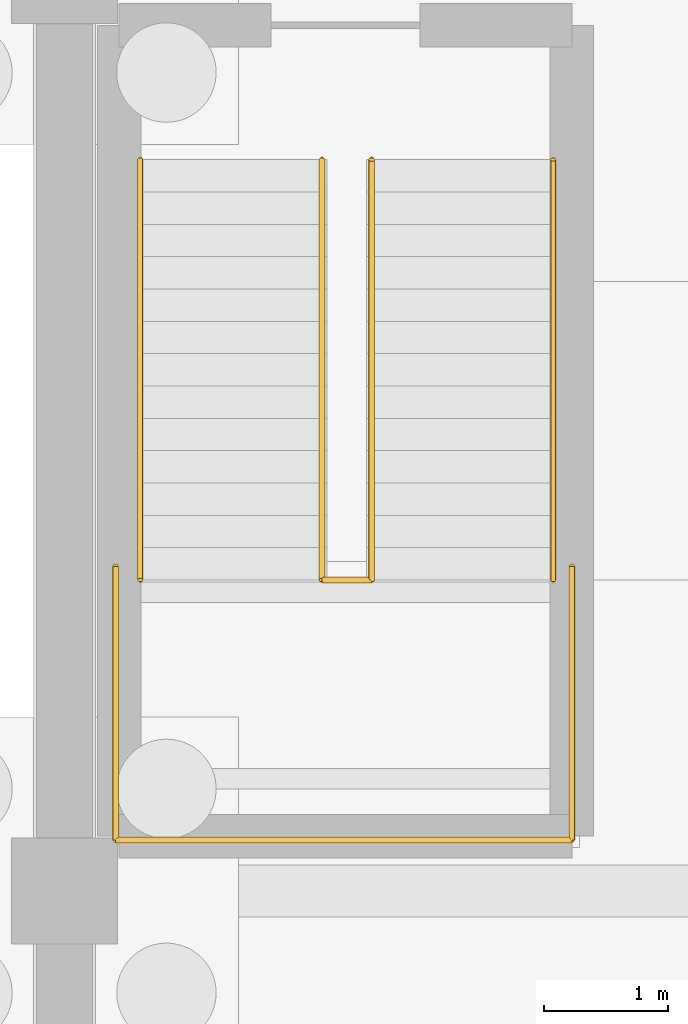
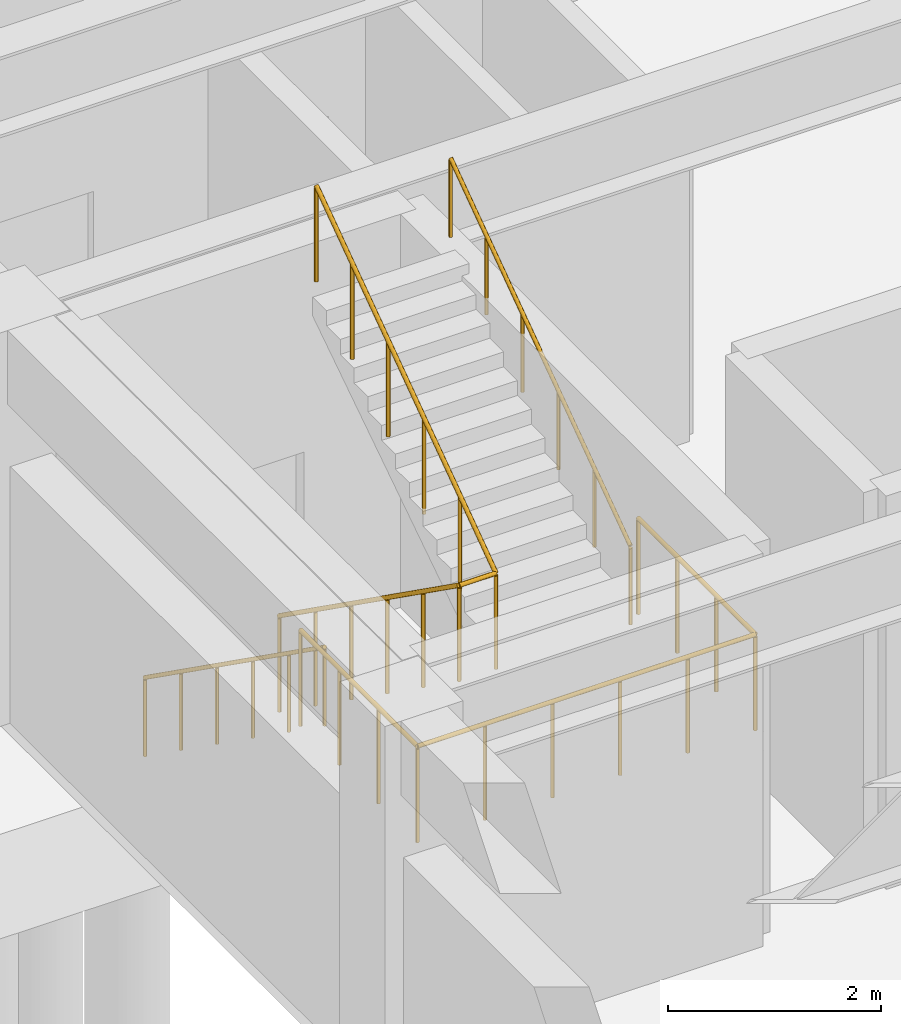
# One storey, part 13 of 14: 4 railings.
"""IFC4 building model written with IfcOpenShell, lengths in metres."""

from ifc_helpers import new_model, si_unit, direction, frame, origin, origin_2d, place, context, subcontext, project, spatial, circle, extrude, material, type_object, element, save


model = new_model("IFC4")

# Units and contexts
model_context = context("Model", 3, precision=1e-05, world=origin(), true_north=direction((0.0, 1.0)))
body_context = subcontext(model_context, "Body", "Model", "MODEL_VIEW")
ifc_project = project(units=[si_unit("LENGTHUNIT", "METRE"), si_unit("AREAUNIT", "SQUARE_METRE"), si_unit("VOLUMEUNIT", "CUBIC_METRE"), si_unit("PLANEANGLEUNIT", "RADIAN"), si_unit("MASSUNIT", "GRAM", prefix="KILO")], contexts=[model_context])

# Site, building, storey
site_placement = place(None, origin())
site = spatial("IfcSite", under=ifc_project, at=site_placement, CompositionType="ELEMENT")
building_placement = place(site_placement, origin())
building = spatial("IfcBuilding", under=site, at=building_placement, Name="Cimatlan Art Gallery", CompositionType="ELEMENT")
storey_placement = place(building_placement, frame((0.0, 0.0, -4.800048828125)))
storey = spatial("IfcBuildingStorey", under=building, at=storey_placement, Name="B1", CompositionType="ELEMENT", Elevation=-4.800048828125)

# Railings
ifc_material_1 = material(Name="Painted steel and bronze interior balustrade", Category="steel")
railing_type_1 = type_object("IfcRailingType", Name="RL-BAL-INT-1120", PredefinedType="BALUSTRADE", material=ifc_material_1)
railing_1_placement = place(storey_placement, frame((75.31005859375, 63.510009765625, 2.400146484375)))
element("IfcRailing", 1, at=railing_1_placement, inside=storey, type_object=railing_type_1, Name="STR-C6-B1-LGRD", PredefinedType="BALUSTRADE", context=body_context, shape_type="SweptSolid", body=[
    extrude(circle(Radius=0.02392578125, at=origin_2d()), frame((0.0, 0.0, 1.09619140625), z_axis=(0.0, -1.0, 0.0), x_axis=(1.0, 0.0, 0.0)), (0.0, 0.0, 1.0), 2.199951171875),
    extrude(circle(Radius=0.02392578125, at=origin_2d()), frame((0.0, -2.199951171875, 1.09619140625), z_axis=(1.0, 0.0, 0.0), x_axis=(0.0, 1.0, 0.0)), (0.0, 0.0, 1.0), 3.669921875),
    extrude(circle(Radius=0.02392578125, at=origin_2d()), frame((3.669921875, -2.199951171875, 1.09619140625), z_axis=(0.0, 1.0, 0.0), x_axis=(-1.0, 0.0, 0.0)), (0.0, 0.0, 1.0), 2.199951171875),
    extrude(circle(Radius=0.02001953125, at=origin_2d()), origin(), (0.0, 0.0, 1.0), 1.072021484375),
    extrude(circle(Radius=0.02001953125, at=origin_2d()), frame((0.0, -0.7333984375, 0.0)), (0.0, 0.0, 1.0), 1.072021484375),
    extrude(circle(Radius=0.02001953125, at=origin_2d()), frame((0.0, -1.466552734375, 0.0)), (0.0, 0.0, 1.0), 1.072021484375),
    extrude(circle(Radius=0.02001953125, at=origin_2d()), frame((0.0, -2.199951171875, 0.0)), (0.0, 0.0, 1.0), 1.072021484375),
    extrude(circle(Radius=0.02001953125, at=origin_2d()), frame((0.73388671875, -2.199951171875, 0.0)), (0.0, 0.0, 1.0), 1.072021484375),
    extrude(circle(Radius=0.02001953125, at=origin_2d()), frame((1.468017578125, -2.199951171875, 0.0)), (0.0, 0.0, 1.0), 1.072021484375),
    extrude(circle(Radius=0.02001953125, at=origin_2d()), frame((2.201904296875, -2.199951171875, 0.0)), (0.0, 0.0, 1.0), 1.072021484375),
    extrude(circle(Radius=0.02001953125, at=origin_2d()), frame((2.93603515625, -2.199951171875, 0.0)), (0.0, 0.0, 1.0), 1.072021484375),
    extrude(circle(Radius=0.02001953125, at=origin_2d()), frame((3.669921875, -2.199951171875, 0.0)), (0.0, 0.0, 1.0), 1.072021484375),
    extrude(circle(Radius=0.02001953125, at=origin_2d()), frame((3.669921875, -1.466552734375, 0.0)), (0.0, 0.0, 1.0), 1.072021484375),
    extrude(circle(Radius=0.02001953125, at=origin_2d()), frame((3.669921875, -0.7333984375, 0.0)), (0.0, 0.0, 1.0), 1.072021484375),
    extrude(circle(Radius=0.02001953125, at=origin_2d()), frame((3.669921875, 0.0, 0.0)), (0.0, 0.0, 1.0), 1.072021484375),
])
railing_2_placement = place(storey_placement, frame((76.969970703125, 66.780029296875, 0.0)))
element("IfcRailing", 2, at=railing_2_placement, inside=storey, type_object=railing_type_1, Name="STR-C6-B1-GRD", PredefinedType="BALUSTRADE", context=body_context, shape_type="SweptSolid", body=[
    extrude(circle(Radius=0.02392578125, at=origin_2d()), frame((0.0, 0.0, 1.09619140625), z_axis=(0.0, -0.815353794257, 0.578963030072), x_axis=(1.0, 0.0, 0.0)), (0.0, 0.0, 1.0), 4.1455078125),
    extrude(circle(Radius=0.02392578125, at=origin_2d()), frame((0.0, -3.380126953125, 3.49609375), z_axis=(1.0, 0.0, 0.0), x_axis=(0.0, 1.0, 0.0)), (0.0, 0.0, 1.0), 0.400146484375),
    extrude(circle(Radius=0.02392578125, at=origin_2d()), frame((0.400146484375, -3.380126953125, 3.49609375), z_axis=(0.0, 0.815381594603, 0.578923876847), x_axis=(-1.0, 0.0, 0.0)), (0.0, 0.0, 1.0), 4.1455078125),
    extrude(circle(Radius=0.02001953125, at=origin_2d()), origin(), (0.0, 0.0, 1.0), 1.072021484375),
    extrude(circle(Radius=0.02001953125, at=origin_2d()), frame((0.0, -0.676025390625, 0.47998046875)), (0.0, 0.0, 1.0), 1.072021484375),
    extrude(circle(Radius=0.02001953125, at=origin_2d()), frame((0.0, -1.35205078125, 0.9599609375)), (0.0, 0.0, 1.0), 1.072021484375),
    extrude(circle(Radius=0.02001953125, at=origin_2d()), frame((0.0, -2.028076171875, 1.440185546875)), (0.0, 0.0, 1.0), 1.072021484375),
    extrude(circle(Radius=0.02001953125, at=origin_2d()), frame((0.0, -2.7041015625, 1.920166015625)), (0.0, 0.0, 1.0), 1.072021484375),
    extrude(circle(Radius=0.02001953125, at=origin_2d()), frame((0.0, -3.380126953125, 2.400146484375)), (0.0, 0.0, 1.0), 1.072021484375),
    extrude(circle(Radius=0.02001953125, at=origin_2d()), frame((0.400146484375, -3.380126953125, 2.400146484375)), (0.0, 0.0, 1.0), 1.072021484375),
    extrude(circle(Radius=0.02001953125, at=origin_2d()), frame((0.400146484375, -2.7041015625, 2.880126953125)), (0.0, 0.0, 1.0), 1.072021484375),
    extrude(circle(Radius=0.02001953125, at=origin_2d()), frame((0.400146484375, -2.028076171875, 3.360107421875)), (0.0, 0.0, 1.0), 1.072021484375),
    extrude(circle(Radius=0.02001953125, at=origin_2d()), frame((0.400146484375, -1.35205078125, 3.840087890625)), (0.0, 0.0, 1.0), 1.072021484375),
    extrude(circle(Radius=0.02001953125, at=origin_2d()), frame((0.400146484375, -0.676025390625, 4.320068359375)), (0.0, 0.0, 1.0), 1.072021484375),
    extrude(circle(Radius=0.02001953125, at=origin_2d()), frame((0.400146484375, 0.0, 4.800048828125)), (0.0, 0.0, 1.0), 1.072021484375),
])
ifc_material_2 = material(Name="Brushed bronze stair handrail")
railing_type_2 = type_object("IfcRailingType", Name="RL-HND-INT-920", PredefinedType="HANDRAIL", material=ifc_material_2)
railing_3_placement = place(storey_placement, frame((75.510009765625, 66.780029296875, 0.0)))
element("IfcRailing", 3, at=railing_3_placement, inside=storey, type_object=railing_type_2, Name="STR-C6-B1-HR1", PredefinedType="HANDRAIL", context=body_context, shape_type="SweptSolid", body=[
    extrude(circle(Radius=0.02197265625, at=origin_2d()), frame((0.0, 0.0, 0.89794921875), z_axis=(0.0, -0.815353794257, 0.578963030072), x_axis=(1.0, 0.0, 0.0)), (0.0, 0.0, 1.0), 4.1455078125),
    extrude(circle(Radius=0.01904296875, at=origin_2d()), origin(), (0.0, 0.0, 1.0), 0.8759765625),
    extrude(circle(Radius=0.01904296875, at=origin_2d()), frame((0.0, -0.676025390625, 0.47998046875)), (0.0, 0.0, 1.0), 0.8759765625),
    extrude(circle(Radius=0.01904296875, at=origin_2d()), frame((0.0, -1.35205078125, 0.9599609375)), (0.0, 0.0, 1.0), 0.8759765625),
    extrude(circle(Radius=0.01904296875, at=origin_2d()), frame((0.0, -2.028076171875, 1.440185546875)), (0.0, 0.0, 1.0), 0.8759765625),
    extrude(circle(Radius=0.01904296875, at=origin_2d()), frame((0.0, -2.7041015625, 1.920166015625)), (0.0, 0.0, 1.0), 0.8759765625),
    extrude(circle(Radius=0.01904296875, at=origin_2d()), frame((0.0, -3.380126953125, 2.400146484375)), (0.0, 0.0, 1.0), 0.8759765625),
])
railing_4_placement = place(storey_placement, frame((78.830078125, 63.39990234375, 2.400146484375)))
element("IfcRailing", 4, at=railing_4_placement, inside=storey, type_object=railing_type_2, Name="STR-C6-B1-HR2", PredefinedType="HANDRAIL", context=body_context, shape_type="SweptSolid", body=[
    extrude(circle(Radius=0.02197265625, at=origin_2d()), frame((0.0, 0.0, 0.89794921875), z_axis=(0.0, 0.815381594603, 0.578923876847), x_axis=(-1.0, 0.0, 0.0)), (0.0, 0.0, 1.0), 4.1455078125),
    extrude(circle(Radius=0.01904296875, at=origin_2d()), origin(), (0.0, 0.0, 1.0), 0.8759765625),
    extrude(circle(Radius=0.01904296875, at=origin_2d()), frame((0.0, 0.676025390625, 0.47998046875)), (0.0, 0.0, 1.0), 0.8759765625),
    extrude(circle(Radius=0.01904296875, at=origin_2d()), frame((0.0, 1.35205078125, 0.9599609375)), (0.0, 0.0, 1.0), 0.8759765625),
    extrude(circle(Radius=0.01904296875, at=origin_2d()), frame((0.0, 2.028076171875, 1.43994140625)), (0.0, 0.0, 1.0), 0.8759765625),
    extrude(circle(Radius=0.01904296875, at=origin_2d()), frame((0.0, 2.7041015625, 1.919921875)), (0.0, 0.0, 1.0), 0.8759765625),
    extrude(circle(Radius=0.01904296875, at=origin_2d()), frame((0.0, 3.380126953125, 2.39990234375)), (0.0, 0.0, 1.0), 0.8759765625),
])

save(model, "model.ifc")
